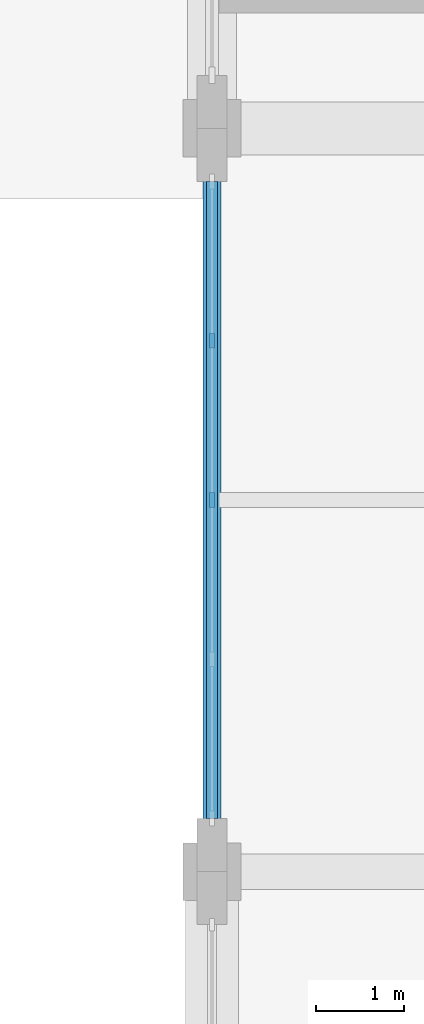
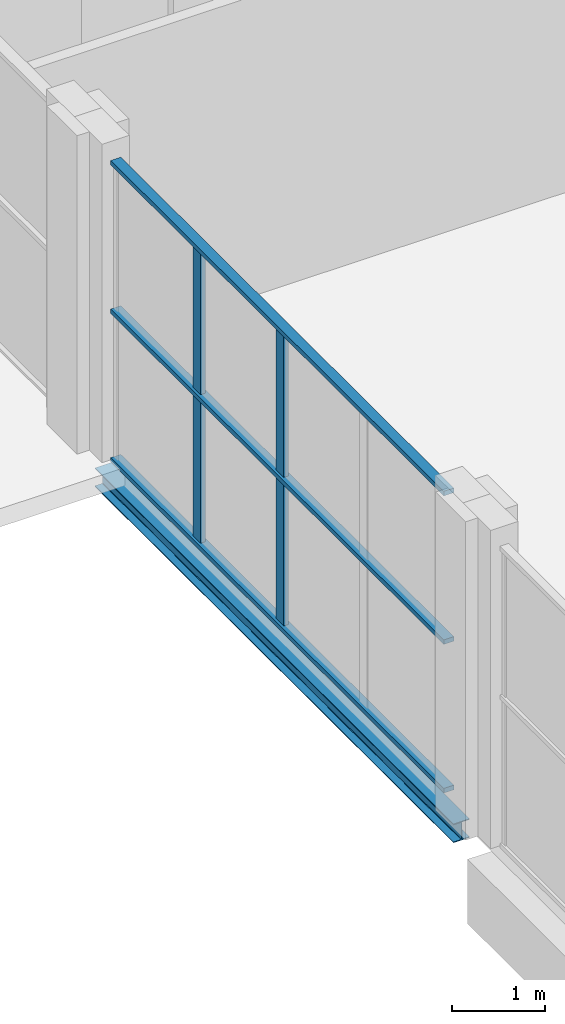
# One storey, part 31 of 59: 5 members, 1 beam, 1 element without a shape of its own.
"""IFC4 building model written with IfcOpenShell, lengths in metres."""

from ifc_helpers import new_model, si_unit, derived_unit, direction, frame, origin, origin_2d, place, context, subcontext, project, spatial, rectangle, i_section, extrude, material, material_profile, profile_set, type_object, element, aggregate, save


model = new_model("IFC4")

# Units and contexts
model_context = context("Model", 3, precision=1e-05, world=origin(), true_north=direction((0.0, 1.0)))
body_context = subcontext(model_context, "Body", "Model", "MODEL_VIEW")
ifc_project = project(units=[si_unit("LENGTHUNIT", "METRE"), si_unit("AREAUNIT", "SQUARE_METRE"), si_unit("VOLUMEUNIT", "CUBIC_METRE"), si_unit("PLANEANGLEUNIT", "RADIAN"), si_unit("MASSUNIT", "GRAM", prefix="KILO"), derived_unit("THERMALTRANSMITTANCEUNIT", [(si_unit("POWERUNIT", "WATT"), 1), (si_unit("LENGTHUNIT", "METRE"), -2), (si_unit("THERMODYNAMICTEMPERATUREUNIT", "KELVIN"), -1)])], contexts=[model_context])

# Site, building, storey
site_placement = place(None, origin())
site = spatial("IfcSite", under=ifc_project, at=site_placement, CompositionType="ELEMENT")
building_placement = place(site_placement, origin())
building = spatial("IfcBuilding", under=site, at=building_placement, Name="Barrovel Congress Hotel", CompositionType="ELEMENT")
storey_placement = place(building_placement, frame((0.0, 0.0, 9.89990234375)))
storey = spatial("IfcBuildingStorey", under=building, at=storey_placement, Name="L02", CompositionType="ELEMENT", Elevation=9.89990234375)

# Curtain wall, members
ifc_material_1 = material(Name="Anodised Aluminium Alloy 6063-T6", Category="aluminium")
curtain_wall_type = type_object("IfcCurtainWallType", Name="CW-ST-7200x3600", PredefinedType="USERDEFINED", material=ifc_material_1)
curtain_wall_placement = place(storey_placement, origin())
curtain_wall = element("IfcCurtainWall", 1, at=curtain_wall_placement, inside=storey, type_object=curtain_wall_type, Name="CW:L02:CE:88.2", ObjectType="STICK CURTAIN WALL", PredefinedType="USERDEFINED")
ifc_material_profile_1 = material_profile(ifc_material_1, rectangle(XDim=0.06005859375, YDim=0.1650390625, at=origin_2d()), Name="AL-M60x165")
ifc_profile_set_1 = profile_set([ifc_material_profile_1], Name="Anodised Aluminium Alloy 6063-T6")
member_type_1 = type_object("IfcMemberType", Name="CWM-AL-M60x165", PredefinedType="MULLION", material=ifc_profile_set_1)
member_1_placement = place(storey_placement, frame((126.0, 94.199951171875, 0.0), z_axis=(0.0, 0.0, 1.0), x_axis=(1.0, 0.0, 0.0)))
member_1 = element("IfcMember", 2, at=member_1_placement, type_object=member_type_1, Name="CW:L02:CE:88.2:M1", PredefinedType="MULLION", context=body_context, shape_type="SweptSolid", body=[
    extrude(rectangle(XDim=0.06005859375, YDim=0.1650390625, at=origin_2d()), origin(), (0.0, 0.0, 1.0), 3.920166015625),
])
member_2_placement = place(storey_placement, frame((126.0, 92.39990234375, 0.0), z_axis=(0.0, 0.0, 1.0), x_axis=(1.0, 0.0, 0.0)))
member_2 = element("IfcMember", 3, at=member_2_placement, type_object=member_type_1, Name="CW:L02:CE:88.2:M2", PredefinedType="MULLION", context=body_context, shape_type="SweptSolid", body=[
    extrude(rectangle(XDim=0.06005859375, YDim=0.1650390625, at=origin_2d()), origin(), (0.0, 0.0, 1.0), 3.920166015625),
])
ifc_material_profile_2 = material_profile(ifc_material_1, rectangle(XDim=0.125, YDim=0.06005859375, at=origin_2d()), Name="AL-T60x125")
ifc_profile_set_2 = profile_set([ifc_material_profile_2], Name="Anodised Aluminium Alloy 6063-T6")
member_type_2 = type_object("IfcMemberType", Name="CWT-AL-T60x125", PredefinedType="USERDEFINED", material=ifc_profile_set_2)
member_3_placement = place(storey_placement, frame((126.0, 96.0, 0.0), z_axis=(0.0, -1.0, 0.0), x_axis=(1.0, 0.0, 0.0)))
member_3 = element("IfcMember", 4, at=member_3_placement, type_object=member_type_2, Name="CW:L02:CE:88.2:T0", ObjectType="TRANSOM", PredefinedType="USERDEFINED", context=body_context, shape_type="SweptSolid", body=[
    extrude(rectangle(XDim=0.125, YDim=0.06005859375, at=origin_2d()), origin(), (0.0, 0.0, 1.0), 7.199951171875),
])
member_4_placement = place(storey_placement, frame((126.0, 96.0, 1.960205078125), z_axis=(0.0, -1.0, 0.0), x_axis=(1.0, 0.0, 0.0)))
member_4 = element("IfcMember", 5, at=member_4_placement, type_object=member_type_2, Name="CW:L02:CE:88.2:T1", ObjectType="TRANSOM", PredefinedType="USERDEFINED", context=body_context, shape_type="SweptSolid", body=[
    extrude(rectangle(XDim=0.125, YDim=0.06005859375, at=origin_2d()), origin(), (0.0, 0.0, 1.0), 7.199951171875),
])
member_5_placement = place(storey_placement, frame((126.0, 96.0, 3.920166015625), z_axis=(0.0, -1.0, 0.0), x_axis=(1.0, 0.0, 0.0)))
member_5 = element("IfcMember", 6, at=member_5_placement, type_object=member_type_2, Name="CW:L02:CE:88.2:T2", ObjectType="TRANSOM", PredefinedType="USERDEFINED", context=body_context, shape_type="SweptSolid", body=[
    extrude(rectangle(XDim=0.125, YDim=0.06005859375, at=origin_2d()), origin(), (0.0, 0.0, 1.0), 7.199951171875),
])
aggregate(curtain_wall, [member_1, member_2, member_3, member_4, member_5])

# Beam
ifc_material_2 = material(Name="Steel ASTM A992 Grade 50", Category="steel")
ifc_material_profile_3 = material_profile(ifc_material_2, i_section(OverallWidth=0.201904296875, OverallDepth=0.2470703125, WebThickness=0.00732421875, FlangeThickness=0.010986328125, FilletRadius=0.011962890625, at=origin_2d()), Name="W250x49")
ifc_profile_set_3 = profile_set([ifc_material_profile_3], Name="Steel ASTM A992 Grade 50")
beam_type = type_object("IfcBeamType", Name="SBM-W250x49", PredefinedType="SPANDREL", material=ifc_profile_set_3)
beam_placement = place(storey_placement, frame((126.0, 88.52490234375, -0.38330078125), z_axis=(0.0, 1.0, 0.0), x_axis=(-1.0, 0.0, 0.0)))
element("IfcBeam", 7, at=beam_placement, inside=storey, type_object=beam_type, Name="BMY:L02:126.0:88.2-96.6", PredefinedType="SPANDREL", context=body_context, shape_type="SweptSolid", body=[
    extrude(i_section(OverallWidth=0.201904296875, OverallDepth=0.2470703125, WebThickness=0.00732421875, FlangeThickness=0.010986328125, FilletRadius=0.011962890625, at=origin_2d()), origin(), (0.0, 0.0, 1.0), 7.75),
])

save(model, "model.ifc")
